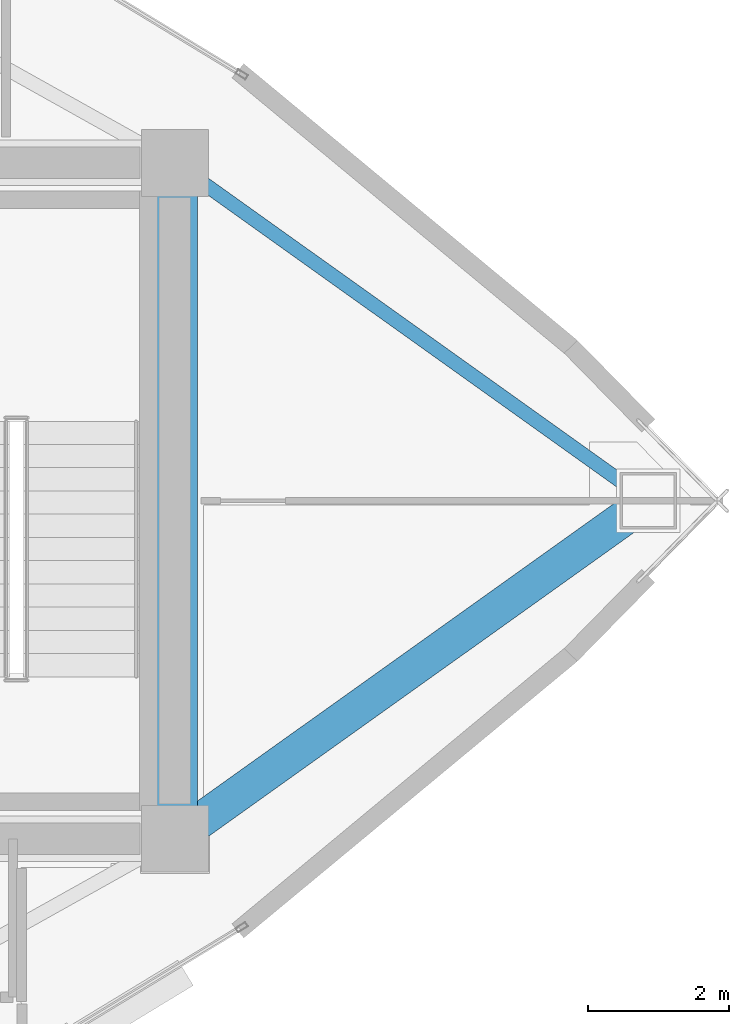
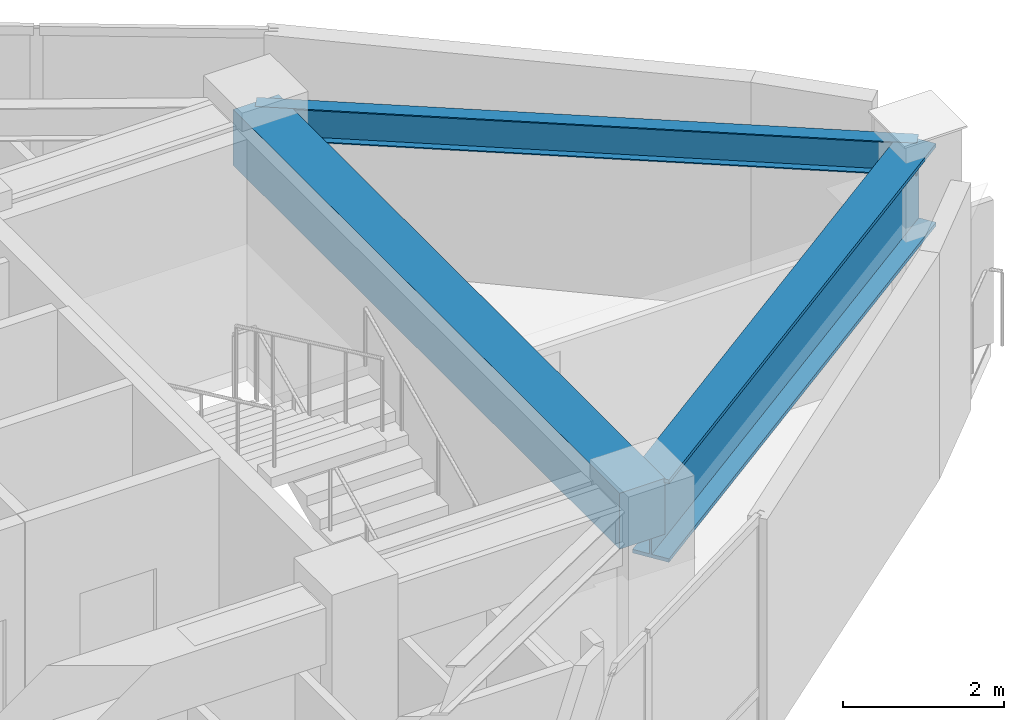
# One storey, part 6 of 15: 3 beams.
"""IFC4 building model written with IfcOpenShell, lengths in metres."""

from ifc_helpers import new_model, si_unit, direction, frame, origin, origin_2d, place, context, subcontext, project, spatial, rectangle, i_section, extrude, material, material_profile, profile_set, type_object, element, save


model = new_model("IFC4")

# Units and contexts
model_context = context("Model", 3, precision=1e-05, world=origin(), true_north=direction((0.0, 1.0)))
body_context = subcontext(model_context, "Body", "Model", "MODEL_VIEW")
ifc_project = project(units=[si_unit("LENGTHUNIT", "METRE"), si_unit("AREAUNIT", "SQUARE_METRE"), si_unit("VOLUMEUNIT", "CUBIC_METRE"), si_unit("PLANEANGLEUNIT", "RADIAN"), si_unit("MASSUNIT", "GRAM", prefix="KILO")], contexts=[model_context])

# Site, building, storey
site_placement = place(None, origin())
site = spatial("IfcSite", under=ifc_project, at=site_placement, CompositionType="ELEMENT")
building_placement = place(site_placement, origin())
building = spatial("IfcBuilding", under=site, at=building_placement, Name="Menara Vayukalpa", CompositionType="ELEMENT")
storey_placement = place(building_placement, frame((0.0, 0.0, 295.5)))
storey = spatial("IfcBuildingStorey", under=building, at=storey_placement, Name="L75", CompositionType="ELEMENT", Elevation=295.5)

# Beams
ifc_material_1 = material(Name="Concrete C60/75", Category="concrete")
ifc_material_profile_1 = material_profile(ifc_material_1, rectangle(XDim=0.64990234375, YDim=0.85009765625, at=origin_2d()), Name="RC 650x850")
ifc_profile_set_1 = profile_set([ifc_material_profile_1], Name="Concrete C60/75")
beam_type_1 = type_object("IfcBeamType", Name="BM-CB1", PredefinedType="BEAM", material=ifc_profile_set_1)
beam_1_placement = place(storey_placement, frame((33.39990234375, 17.199951171875, 3.014892578125), z_axis=(0.0, 1.0, 0.0), x_axis=(-1.0, 0.0, 0.0)))
element("IfcBeam", 1, at=beam_1_placement, inside=storey, type_object=beam_type_1, Name="L75 Core Tie Beam CBR8", PredefinedType="BEAM", context=body_context, shape_type="SweptSolid", body=[
    extrude(rectangle(XDim=0.64990234375, YDim=0.85009765625, at=origin_2d()), origin(), (0.0, 0.0, 1.0), 9.60009765625),
])
ifc_material_2 = material(Name="Steel S355", Category="steel")
ifc_material_profile_2 = material_profile(ifc_material_2, i_section(OverallWidth=0.199951171875, OverallDepth=0.5, WebThickness=0.010009765625, FlangeThickness=0.01611328125, at=origin_2d()), Name="WF 500x200x10x16")
ifc_profile_set_2 = profile_set([ifc_material_profile_2], Name="Steel S355")
beam_type_2 = type_object("IfcBeamType", Name="BM-SP3", PredefinedType="SPANDREL", material=ifc_profile_set_2)
beam_2_placement = place(storey_placement, frame((40.121826171875, 22.0, 3.18994140625), z_axis=(-0.813809355401, 0.581131941181, 0.0), x_axis=(-0.581131941181, -0.813809355401, 0.0)))
element("IfcBeam", 2, at=beam_2_placement, inside=storey, type_object=beam_type_2, Name="L75 Perimeter Spandrel Beam SP01", PredefinedType="SPANDREL", context=body_context, shape_type="SweptSolid", body=[
    extrude(i_section(OverallWidth=0.199951171875, OverallDepth=0.5, WebThickness=0.010009765625, FlangeThickness=0.01611328125, at=origin_2d()), origin(), (0.0, 0.0, 1.0), 8.259765625),
])
ifc_material_3 = material(Name="Steel S460", Category="steel")
ifc_material_profile_3 = material_profile(ifc_material_3, i_section(OverallWidth=0.5, OverallDepth=1.25, WebThickness=0.028076171875, FlangeThickness=0.054931640625, at=origin_2d()), Name="WG 1250x500x28x55")
ifc_profile_set_3 = profile_set([ifc_material_profile_3], Name="Steel S460")
beam_type_3 = type_object("IfcBeamType", Name="BM-TG2", PredefinedType="BEAM", material=ifc_profile_set_3)
beam_3_placement = place(storey_placement, frame((33.603515625, 17.34521484375, 2.81494140625), z_axis=(0.813801429135, 0.581143040859, 0.0), x_axis=(-0.581143040859, 0.813801429135, 0.0)))
element("IfcBeam", 3, at=beam_3_placement, inside=storey, type_object=beam_type_3, Name="L75 Primary Radial Girder RG01", PredefinedType="BEAM", context=body_context, shape_type="SweptSolid", body=[
    extrude(i_section(OverallWidth=0.5, OverallDepth=1.25, WebThickness=0.028076171875, FlangeThickness=0.054931640625, at=origin_2d()), origin(), (0.0, 0.0, 1.0), 8.009765625),
])

save(model, "model.ifc")
